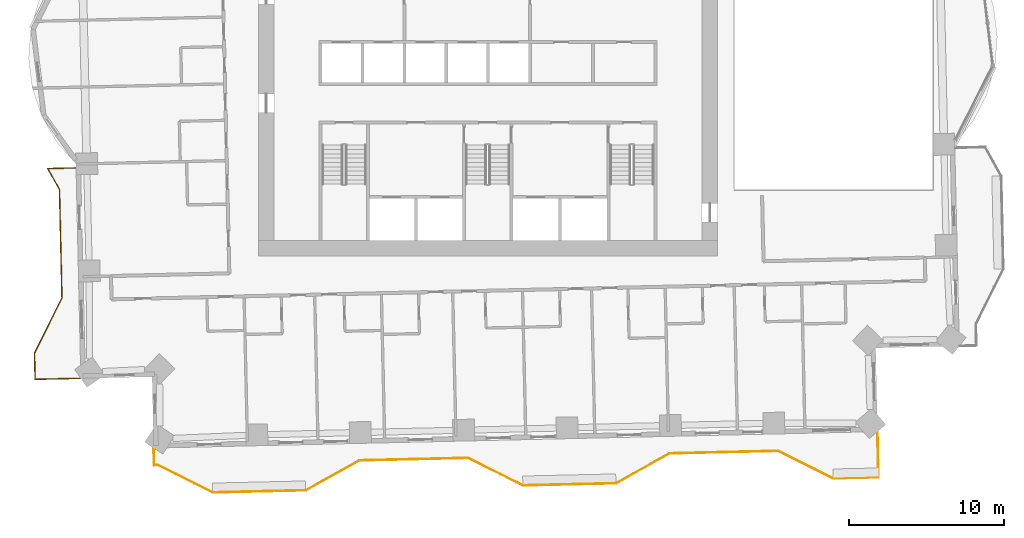
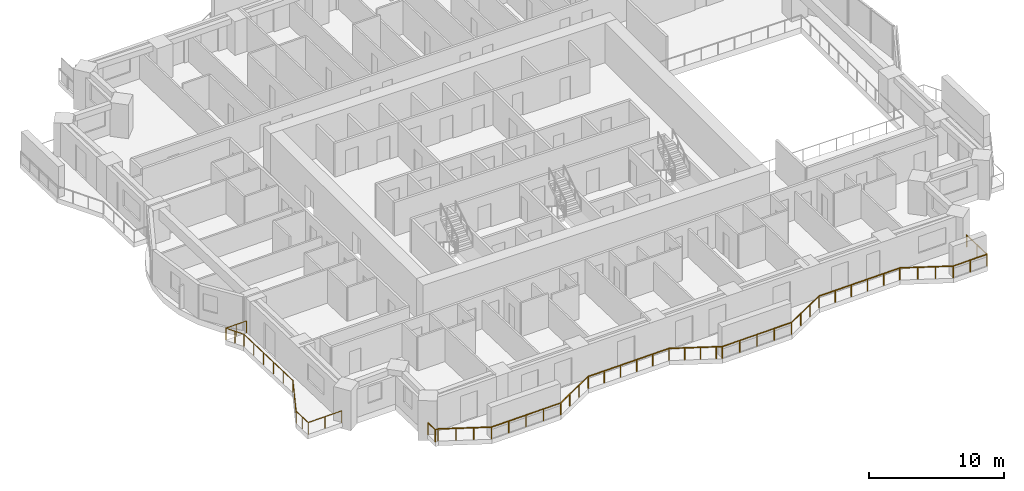
# One storey, part 14 of 17: 2 railings.
"""IFC4 building model written with IfcOpenShell, lengths in metres."""

from ifc_helpers import new_model, si_unit, direction, frame, origin, origin_2d, place, context, subcontext, project, spatial, rectangle, extrude, material, type_object, element, save


model = new_model("IFC4")

# Units and contexts
model_context = context("Model", 3, precision=1e-05, world=origin(), true_north=direction((0.0, 1.0)))
body_context = subcontext(model_context, "Body", "Model", "MODEL_VIEW")
ifc_project = project(units=[si_unit("LENGTHUNIT", "METRE"), si_unit("AREAUNIT", "SQUARE_METRE"), si_unit("VOLUMEUNIT", "CUBIC_METRE"), si_unit("PLANEANGLEUNIT", "RADIAN"), si_unit("MASSUNIT", "GRAM", prefix="KILO")], contexts=[model_context])

# Site, building, storey
site_placement = place(None, origin())
site = spatial("IfcSite", under=ifc_project, at=site_placement, CompositionType="ELEMENT")
building_placement = place(site_placement, origin())
building = spatial("IfcBuilding", under=site, at=building_placement, Name="Mangrove Gate Tower", CompositionType="ELEMENT")
storey_placement = place(building_placement, frame((0.0, 0.0, 93.699951171875)))
storey = spatial("IfcBuildingStorey", under=building, at=storey_placement, Name="L23", CompositionType="ELEMENT", Elevation=93.699951171875)

# Railings
ifc_material = material(Name="Stainless steel grade 316 with laminated glass infill", Category="steel")
railing_type = type_object("IfcRailingType", Name="Balcony guard 1100", PredefinedType="GUARDRAIL", material=ifc_material)
railing_1_placement = place(storey_placement, frame((-26.60693359375, -6.116943359375, 0.0)))
element("IfcRailing", 1, at=railing_1_placement, inside=storey, type_object=railing_type, Name="GUARD L23 W2", PredefinedType="GUARDRAIL", context=body_context, shape_type="SweptSolid", body=[
    extrude(rectangle(XDim=0.048095703125, YDim=0.048095703125, at=origin_2d()), frame((0.0, 0.0, 1.076171875), z_axis=(-0.999736446094, -0.022957315875, 0.0), x_axis=(0.022957315875, -0.999736446094, 0.0)), (0.0, 0.0, 1.0), 1.78662109375),
    extrude(rectangle(XDim=0.048095703125, YDim=0.048095703125, at=origin_2d()), frame((-1.7861328125, -0.041015625, 1.076171875), z_axis=(0.486895569176, -0.873460190688, 0.0), x_axis=(0.873460190688, 0.486895569176, 0.0)), (0.0, 0.0, 1.0), 1.554931640625),
    extrude(rectangle(XDim=0.048095703125, YDim=0.048095703125, at=origin_2d()), frame((-1.029052734375, -1.399169921875, 1.076171875), z_axis=(0.022706351659, -0.999742177561, 0.0), x_axis=(0.999742177561, 0.022706351659, 0.0)), (0.0, 0.0, 1.0), 6.99951171875),
    extrude(rectangle(XDim=0.048095703125, YDim=0.048095703125, at=origin_2d()), frame((-0.8701171875, -8.39697265625, 1.076171875), z_axis=(-0.447114919141, -0.894476522376, 0.0), x_axis=(0.894476522376, -0.447114919141, 0.0)), (0.0, 0.0, 1.0), 3.958740234375),
    extrude(rectangle(XDim=0.048095703125, YDim=0.048095703125, at=origin_2d()), frame((-2.64013671875, -11.93798828125, 1.076171875), z_axis=(0.022985734573, -0.9997357931, 0.0), x_axis=(0.9997357931, 0.022985734573, 0.0)), (0.0, 0.0, 1.0), 1.699462890625),
    extrude(rectangle(XDim=0.048095703125, YDim=0.048095703125, at=origin_2d()), frame((-2.60107421875, -13.636962890625, 1.076171875), z_axis=(0.999750894749, 0.022319239446, 0.0), x_axis=(-0.022319239446, 0.999750894749, 0.0)), (0.0, 0.0, 1.0), 2.90966796875),
    extrude(rectangle(XDim=0.0419921875, YDim=0.0419921875, at=origin_2d()), origin(), (0.0, 0.0, 1.0), 1.052001953125),
    extrude(rectangle(XDim=0.0419921875, YDim=0.0419921875, at=origin_2d()), frame((-0.89306640625, -0.0205078125, 0.0)), (0.0, 0.0, 1.0), 1.052001953125),
    extrude(rectangle(XDim=0.0419921875, YDim=0.0419921875, at=origin_2d()), frame((-1.7861328125, -0.041015625, 0.0)), (0.0, 0.0, 1.0), 1.052001953125),
    extrude(rectangle(XDim=0.0419921875, YDim=0.0419921875, at=origin_2d()), frame((-1.40771484375, -0.72021484375, 0.0)), (0.0, 0.0, 1.0), 1.052001953125),
    extrude(rectangle(XDim=0.0419921875, YDim=0.0419921875, at=origin_2d()), frame((-1.029052734375, -1.399169921875, 0.0)), (0.0, 0.0, 1.0), 1.052001953125),
    extrude(rectangle(XDim=0.0419921875, YDim=0.0419921875, at=origin_2d()), frame((-0.997314453125, -2.798828125, 0.0)), (0.0, 0.0, 1.0), 1.052001953125),
    extrude(rectangle(XDim=0.0419921875, YDim=0.0419921875, at=origin_2d()), frame((-0.965576171875, -4.1982421875, 0.0)), (0.0, 0.0, 1.0), 1.052001953125),
    extrude(rectangle(XDim=0.0419921875, YDim=0.0419921875, at=origin_2d()), frame((-0.93359375, -5.597900390625, 0.0)), (0.0, 0.0, 1.0), 1.052001953125),
    extrude(rectangle(XDim=0.0419921875, YDim=0.0419921875, at=origin_2d()), frame((-0.90185546875, -6.997314453125, 0.0)), (0.0, 0.0, 1.0), 1.052001953125),
    extrude(rectangle(XDim=0.0419921875, YDim=0.0419921875, at=origin_2d()), frame((-0.8701171875, -8.39697265625, 0.0)), (0.0, 0.0, 1.0), 1.052001953125),
    extrude(rectangle(XDim=0.0419921875, YDim=0.0419921875, at=origin_2d()), frame((-1.460205078125, -9.577392578125, 0.0)), (0.0, 0.0, 1.0), 1.052001953125),
    extrude(rectangle(XDim=0.0419921875, YDim=0.0419921875, at=origin_2d()), frame((-2.050048828125, -10.757568359375, 0.0)), (0.0, 0.0, 1.0), 1.052001953125),
    extrude(rectangle(XDim=0.0419921875, YDim=0.0419921875, at=origin_2d()), frame((-2.64013671875, -11.93798828125, 0.0)), (0.0, 0.0, 1.0), 1.052001953125),
    extrude(rectangle(XDim=0.0419921875, YDim=0.0419921875, at=origin_2d()), frame((-2.62060546875, -12.78759765625, 0.0)), (0.0, 0.0, 1.0), 1.052001953125),
    extrude(rectangle(XDim=0.0419921875, YDim=0.0419921875, at=origin_2d()), frame((-2.60107421875, -13.636962890625, 0.0)), (0.0, 0.0, 1.0), 1.052001953125),
    extrude(rectangle(XDim=0.0419921875, YDim=0.0419921875, at=origin_2d()), frame((-1.146484375, -13.6044921875, 0.0)), (0.0, 0.0, 1.0), 1.052001953125),
    extrude(rectangle(XDim=0.0419921875, YDim=0.0419921875, at=origin_2d()), frame((0.307861328125, -13.572021484375, 0.0)), (0.0, 0.0, 1.0), 1.052001953125),
])
railing_2_placement = place(storey_placement, frame((-21.554931640625, -24.221923828125, 0.0)))
element("IfcRailing", 2, at=railing_2_placement, inside=storey, type_object=railing_type, Name="GUARD L23 S1", PredefinedType="GUARDRAIL", context=body_context, shape_type="SweptSolid", body=[
    extrude(rectangle(XDim=0.048095703125, YDim=0.048095703125, at=origin_2d()), frame((0.0, 0.0, 1.076171875), z_axis=(0.022564497502, -0.999745389313, 0.0), x_axis=(0.999745389313, 0.022564497502, 0.0)), (0.0, 0.0, 1.0), 1.060302734375),
    extrude(rectangle(XDim=0.048095703125, YDim=0.048095703125, at=origin_2d()), frame((0.02392578125, -1.06005859375, 1.076171875), z_axis=(0.999665974646, 0.025844518476, 0.0), x_axis=(-0.025844518476, 0.999665974646, 0.0)), (0.0, 0.0, 1.0), 0.236083984375),
    extrude(rectangle(XDim=0.048095703125, YDim=0.048095703125, at=origin_2d()), frame((0.260009765625, -1.053955078125, 1.076171875), z_axis=(0.894476522376, -0.447114919141, 0.0), x_axis=(0.447114919141, 0.894476522376, 0.0)), (0.0, 0.0, 1.0), 3.958740234375),
    extrude(rectangle(XDim=0.048095703125, YDim=0.048095703125, at=origin_2d()), frame((3.801025390625, -2.823974609375, 1.076171875), z_axis=(0.999743073592, 0.022666865795, 0.0), x_axis=(-0.022666865795, 0.999743073592, 0.0)), (0.0, 0.0, 1.0), 5.999267578125),
    extrude(rectangle(XDim=0.048095703125, YDim=0.048095703125, at=origin_2d()), frame((9.798828125, -2.68798828125, 1.076171875), z_axis=(0.873315448515, 0.487155136876, 0.0), x_axis=(-0.487155136876, 0.873315448515, 0.0)), (0.0, 0.0, 1.0), 3.959716796875),
    extrude(rectangle(XDim=0.048095703125, YDim=0.048095703125, at=origin_2d()), frame((13.2568359375, -0.759033203125, 1.076171875), z_axis=(0.999745352708, 0.022566119286, 0.0), x_axis=(-0.022566119286, 0.999745352708, 0.0)), (0.0, 0.0, 1.0), 6.999755859375),
    extrude(rectangle(XDim=0.048095703125, YDim=0.048095703125, at=origin_2d()), frame((20.2548828125, -0.60107421875, 1.076171875), z_axis=(0.894552511605, -0.446962866445, 0.0), x_axis=(0.446962866445, 0.894552511605, 0.0)), (0.0, 0.0, 1.0), 3.505615234375),
    extrude(rectangle(XDim=0.048095703125, YDim=0.048095703125, at=origin_2d()), frame((23.390869140625, -2.16796875, 1.076171875), z_axis=(0.89388773066, -0.448290893255, 0.0), x_axis=(0.448290893255, 0.89388773066, 0.0)), (0.0, 0.0, 1.0), 0.453125),
    extrude(rectangle(XDim=0.048095703125, YDim=0.048095703125, at=origin_2d()), frame((23.7958984375, -2.37109375, 1.076171875), z_axis=(0.999743094499, 0.022665943652, 0.0), x_axis=(-0.022665943652, 0.999743094499, 0.0)), (0.0, 0.0, 1.0), 5.99951171875),
    extrude(rectangle(XDim=0.048095703125, YDim=0.048095703125, at=origin_2d()), frame((29.7939453125, -2.235107421875, 1.076171875), z_axis=(0.87325689943, 0.48726008209, 0.0), x_axis=(-0.48726008209, 0.87325689943, 0.0)), (0.0, 0.0, 1.0), 3.958740234375),
    extrude(rectangle(XDim=0.048095703125, YDim=0.048095703125, at=origin_2d()), frame((33.2509765625, -0.30615234375, 1.076171875), z_axis=(0.999741475346, 0.022737248567, 0.0), x_axis=(-0.022737248567, 0.999741475346, 0.0)), (0.0, 0.0, 1.0), 7.000732421875),
    extrude(rectangle(XDim=0.048095703125, YDim=0.048095703125, at=origin_2d()), frame((40.25, -0.14697265625, 1.076171875), z_axis=(0.894476522376, -0.447114919141, 0.0), x_axis=(0.447114919141, 0.894476522376, 0.0)), (0.0, 0.0, 1.0), 3.958740234375),
    extrude(rectangle(XDim=0.048095703125, YDim=0.048095703125, at=origin_2d()), frame((43.791015625, -1.9169921875, 1.076171875), z_axis=(0.999740330614, 0.022787526045, 0.0), x_axis=(-0.022787526045, 0.999740330614, 0.0)), (0.0, 0.0, 1.0), 2.935546875),
    extrude(rectangle(XDim=0.048095703125, YDim=0.048095703125, at=origin_2d()), frame((46.725830078125, -1.85009765625, 1.076171875), z_axis=(-0.022654696127, 0.999743349437, 0.0), x_axis=(-0.999743349437, -0.022654696127, 0.0)), (0.0, 0.0, 1.0), 2.90966796875),
    extrude(rectangle(XDim=0.0419921875, YDim=0.0419921875, at=origin_2d()), origin(), (0.0, 0.0, 1.0), 1.052001953125),
    extrude(rectangle(XDim=0.0419921875, YDim=0.0419921875, at=origin_2d()), frame((0.02392578125, -1.06005859375, 0.0)), (0.0, 0.0, 1.0), 1.052001953125),
    extrude(rectangle(XDim=0.0419921875, YDim=0.0419921875, at=origin_2d()), frame((0.260009765625, -1.053955078125, 0.0)), (0.0, 0.0, 1.0), 1.052001953125),
    extrude(rectangle(XDim=0.0419921875, YDim=0.0419921875, at=origin_2d()), frame((1.4404296875, -1.64404296875, 0.0)), (0.0, 0.0, 1.0), 1.052001953125),
    extrude(rectangle(XDim=0.0419921875, YDim=0.0419921875, at=origin_2d()), frame((2.62060546875, -2.23388671875, 0.0)), (0.0, 0.0, 1.0), 1.052001953125),
    extrude(rectangle(XDim=0.0419921875, YDim=0.0419921875, at=origin_2d()), frame((3.801025390625, -2.823974609375, 0.0)), (0.0, 0.0, 1.0), 1.052001953125),
    extrude(rectangle(XDim=0.0419921875, YDim=0.0419921875, at=origin_2d()), frame((5.300537109375, -2.7900390625, 0.0)), (0.0, 0.0, 1.0), 1.052001953125),
    extrude(rectangle(XDim=0.0419921875, YDim=0.0419921875, at=origin_2d()), frame((6.7998046875, -2.755859375, 0.0)), (0.0, 0.0, 1.0), 1.052001953125),
    extrude(rectangle(XDim=0.0419921875, YDim=0.0419921875, at=origin_2d()), frame((8.29931640625, -2.721923828125, 0.0)), (0.0, 0.0, 1.0), 1.052001953125),
    extrude(rectangle(XDim=0.0419921875, YDim=0.0419921875, at=origin_2d()), frame((9.798828125, -2.68798828125, 0.0)), (0.0, 0.0, 1.0), 1.052001953125),
    extrude(rectangle(XDim=0.0419921875, YDim=0.0419921875, at=origin_2d()), frame((10.951416015625, -2.044921875, 0.0)), (0.0, 0.0, 1.0), 1.052001953125),
    extrude(rectangle(XDim=0.0419921875, YDim=0.0419921875, at=origin_2d()), frame((12.104248046875, -1.402099609375, 0.0)), (0.0, 0.0, 1.0), 1.052001953125),
    extrude(rectangle(XDim=0.0419921875, YDim=0.0419921875, at=origin_2d()), frame((13.2568359375, -0.759033203125, 0.0)), (0.0, 0.0, 1.0), 1.052001953125),
    extrude(rectangle(XDim=0.0419921875, YDim=0.0419921875, at=origin_2d()), frame((14.656494140625, -0.7275390625, 0.0)), (0.0, 0.0, 1.0), 1.052001953125),
    extrude(rectangle(XDim=0.0419921875, YDim=0.0419921875, at=origin_2d()), frame((16.05615234375, -0.69580078125, 0.0)), (0.0, 0.0, 1.0), 1.052001953125),
    extrude(rectangle(XDim=0.0419921875, YDim=0.0419921875, at=origin_2d()), frame((17.45556640625, -0.664306640625, 0.0)), (0.0, 0.0, 1.0), 1.052001953125),
    extrude(rectangle(XDim=0.0419921875, YDim=0.0419921875, at=origin_2d()), frame((18.855224609375, -0.632568359375, 0.0)), (0.0, 0.0, 1.0), 1.052001953125),
    extrude(rectangle(XDim=0.0419921875, YDim=0.0419921875, at=origin_2d()), frame((20.2548828125, -0.60107421875, 0.0)), (0.0, 0.0, 1.0), 1.052001953125),
    extrude(rectangle(XDim=0.0419921875, YDim=0.0419921875, at=origin_2d()), frame((21.30029296875, -1.123291015625, 0.0)), (0.0, 0.0, 1.0), 1.052001953125),
    extrude(rectangle(XDim=0.0419921875, YDim=0.0419921875, at=origin_2d()), frame((22.345458984375, -1.645751953125, 0.0)), (0.0, 0.0, 1.0), 1.052001953125),
    extrude(rectangle(XDim=0.0419921875, YDim=0.0419921875, at=origin_2d()), frame((23.390869140625, -2.16796875, 0.0)), (0.0, 0.0, 1.0), 1.052001953125),
    extrude(rectangle(XDim=0.0419921875, YDim=0.0419921875, at=origin_2d()), frame((23.7958984375, -2.37109375, 0.0)), (0.0, 0.0, 1.0), 1.052001953125),
    extrude(rectangle(XDim=0.0419921875, YDim=0.0419921875, at=origin_2d()), frame((25.29541015625, -2.337158203125, 0.0)), (0.0, 0.0, 1.0), 1.052001953125),
    extrude(rectangle(XDim=0.0419921875, YDim=0.0419921875, at=origin_2d()), frame((26.794921875, -2.30322265625, 0.0)), (0.0, 0.0, 1.0), 1.052001953125),
    extrude(rectangle(XDim=0.0419921875, YDim=0.0419921875, at=origin_2d()), frame((28.29443359375, -2.26904296875, 0.0)), (0.0, 0.0, 1.0), 1.052001953125),
    extrude(rectangle(XDim=0.0419921875, YDim=0.0419921875, at=origin_2d()), frame((29.7939453125, -2.235107421875, 0.0)), (0.0, 0.0, 1.0), 1.052001953125),
    extrude(rectangle(XDim=0.0419921875, YDim=0.0419921875, at=origin_2d()), frame((30.9462890625, -1.592041015625, 0.0)), (0.0, 0.0, 1.0), 1.052001953125),
    extrude(rectangle(XDim=0.0419921875, YDim=0.0419921875, at=origin_2d()), frame((32.0986328125, -0.94921875, 0.0)), (0.0, 0.0, 1.0), 1.052001953125),
    extrude(rectangle(XDim=0.0419921875, YDim=0.0419921875, at=origin_2d()), frame((33.2509765625, -0.30615234375, 0.0)), (0.0, 0.0, 1.0), 1.052001953125),
    extrude(rectangle(XDim=0.0419921875, YDim=0.0419921875, at=origin_2d()), frame((34.65087890625, -0.2744140625, 0.0)), (0.0, 0.0, 1.0), 1.052001953125),
    extrude(rectangle(XDim=0.0419921875, YDim=0.0419921875, at=origin_2d()), frame((36.050537109375, -0.242431640625, 0.0)), (0.0, 0.0, 1.0), 1.052001953125),
    extrude(rectangle(XDim=0.0419921875, YDim=0.0419921875, at=origin_2d()), frame((37.450439453125, -0.210693359375, 0.0)), (0.0, 0.0, 1.0), 1.052001953125),
    extrude(rectangle(XDim=0.0419921875, YDim=0.0419921875, at=origin_2d()), frame((38.85009765625, -0.1787109375, 0.0)), (0.0, 0.0, 1.0), 1.052001953125),
    extrude(rectangle(XDim=0.0419921875, YDim=0.0419921875, at=origin_2d()), frame((40.25, -0.14697265625, 0.0)), (0.0, 0.0, 1.0), 1.052001953125),
    extrude(rectangle(XDim=0.0419921875, YDim=0.0419921875, at=origin_2d()), frame((41.430419921875, -0.737060546875, 0.0)), (0.0, 0.0, 1.0), 1.052001953125),
    extrude(rectangle(XDim=0.0419921875, YDim=0.0419921875, at=origin_2d()), frame((42.610595703125, -1.326904296875, 0.0)), (0.0, 0.0, 1.0), 1.052001953125),
    extrude(rectangle(XDim=0.0419921875, YDim=0.0419921875, at=origin_2d()), frame((43.791015625, -1.9169921875, 0.0)), (0.0, 0.0, 1.0), 1.052001953125),
    extrude(rectangle(XDim=0.0419921875, YDim=0.0419921875, at=origin_2d()), frame((45.25830078125, -1.883544921875, 0.0)), (0.0, 0.0, 1.0), 1.052001953125),
    extrude(rectangle(XDim=0.0419921875, YDim=0.0419921875, at=origin_2d()), frame((46.725830078125, -1.85009765625, 0.0)), (0.0, 0.0, 1.0), 1.052001953125),
    extrude(rectangle(XDim=0.0419921875, YDim=0.0419921875, at=origin_2d()), frame((46.69287109375, -0.3955078125, 0.0)), (0.0, 0.0, 1.0), 1.052001953125),
    extrude(rectangle(XDim=0.0419921875, YDim=0.0419921875, at=origin_2d()), frame((46.659912109375, 1.058837890625, 0.0)), (0.0, 0.0, 1.0), 1.052001953125),
])

save(model, "model.ifc")
